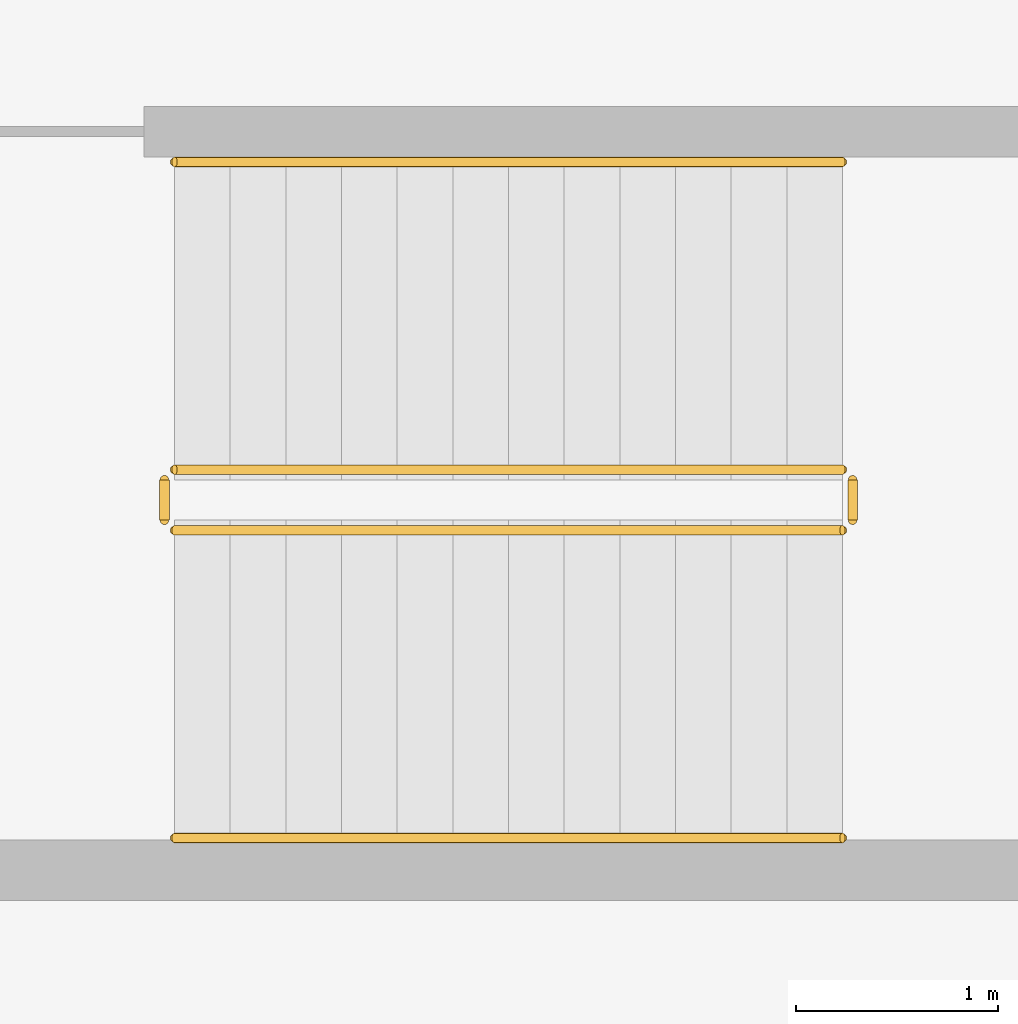
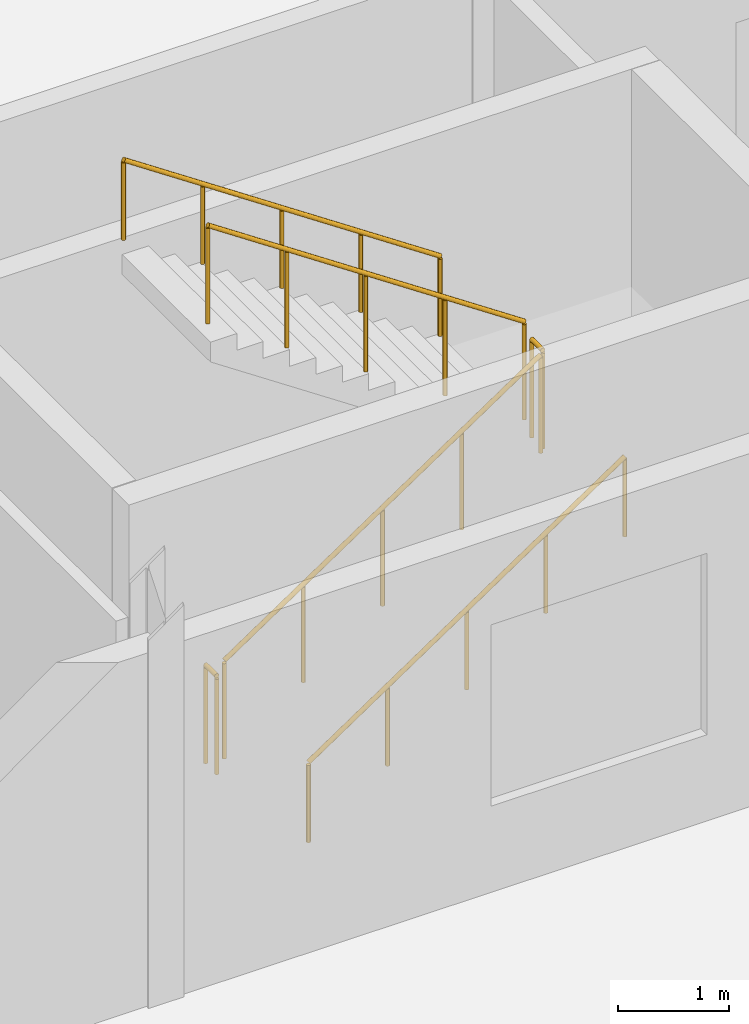
# One storey, part 116 of 117: 6 railings.
"""IFC4 building model written with IfcOpenShell, lengths in metres."""

from ifc_helpers import new_model, si_unit, direction, frame, origin, origin_2d, place, context, subcontext, project, spatial, circle, extrude, material, type_object, element, save


model = new_model("IFC4")

# Units and contexts
model_context = context("Model", 3, precision=1e-05, world=origin(), true_north=direction((0.0, 1.0)))
body_context = subcontext(model_context, "Body", "Model", "MODEL_VIEW")
ifc_project = project(units=[si_unit("LENGTHUNIT", "METRE"), si_unit("AREAUNIT", "SQUARE_METRE"), si_unit("VOLUMEUNIT", "CUBIC_METRE"), si_unit("PLANEANGLEUNIT", "RADIAN"), si_unit("MASSUNIT", "GRAM", prefix="KILO")], contexts=[model_context])

# Site, building, storey
site_placement = place(None, origin())
site = spatial("IfcSite", under=ifc_project, at=site_placement, CompositionType="ELEMENT")
building_placement = place(site_placement, origin())
building = spatial("IfcBuilding", under=site, at=building_placement, Name="Jelvoka-Kovrelna Polytechnic", CompositionType="ELEMENT")
storey_placement = place(building_placement, origin())
storey = spatial("IfcBuildingStorey", under=building, at=storey_placement, Name="L01", CompositionType="ELEMENT", Elevation=0.0)

# Railings
ifc_material_1 = material(Name="Powder-coated steel stair guard", Category="steel")
railing_type_1 = type_object("IfcRailingType", Name="Railing_Stair_Guard_1100", PredefinedType="GUARDRAIL", material=ifc_material_1)
railing_1_placement = place(storey_placement, frame((178.25, 82.669921875, 0.1845703125)))
element("IfcRailing", 1, at=railing_1_placement, inside=storey, type_object=railing_type_1, Name="L01 ST02 stair guard 1", PredefinedType="GUARDRAIL", context=body_context, shape_type="SweptSolid", body=[
    extrude(circle(Radius=0.02392578125, at=origin_2d()), frame((0.0, 0.0, 1.076171875), z_axis=(0.830269453126, 0.0, 0.557362211857), x_axis=(0.0, 1.0, 0.0)), (0.0, 0.0, 1.0), 3.974609375),
    extrude(circle(Radius=0.02099609375, at=origin_2d()), origin(), (0.0, 0.0, 1.0), 1.052001953125),
    extrude(circle(Radius=0.02099609375, at=origin_2d()), frame((0.824951171875, 0.0, 0.5537109375)), (0.0, 0.0, 1.0), 1.052001953125),
    extrude(circle(Radius=0.02099609375, at=origin_2d()), frame((1.64990234375, 0.0, 1.107666015625)), (0.0, 0.0, 1.0), 1.052001953125),
    extrude(circle(Radius=0.02099609375, at=origin_2d()), frame((2.47509765625, 0.0, 1.66162109375)), (0.0, 0.0, 1.0), 1.052001953125),
    extrude(circle(Radius=0.02099609375, at=origin_2d()), frame((3.300048828125, 0.0, 2.21533203125)), (0.0, 0.0, 1.0), 1.052001953125),
])
railing_2_placement = place(storey_placement, frame((181.60009765625, 82.719970703125, 2.39990234375)))
element("IfcRailing", 2, at=railing_2_placement, inside=storey, type_object=railing_type_1, Name="L01 ST02 stair guard 2", PredefinedType="GUARDRAIL", context=body_context, shape_type="SweptSolid", body=[
    extrude(circle(Radius=0.02392578125, at=origin_2d()), frame((0.0, 0.0, 1.076171875), z_axis=(0.0, 1.0, 0.0), x_axis=(-1.0, 0.0, 0.0)), (0.0, 0.0, 1.0), 0.199951171875),
    extrude(circle(Radius=0.02099609375, at=origin_2d()), origin(), (0.0, 0.0, 1.0), 1.052001953125),
    extrude(circle(Radius=0.02099609375, at=origin_2d()), frame((0.0, 0.199951171875, 0.0)), (0.0, 0.0, 1.0), 1.052001953125),
])
railing_3_placement = place(storey_placement, frame((181.550048828125, 82.969970703125, 2.584716796875)))
element("IfcRailing", 3, at=railing_3_placement, inside=storey, type_object=railing_type_1, Name="L01 ST02 stair guard 3", PredefinedType="GUARDRAIL", context=body_context, shape_type="SweptSolid", body=[
    extrude(circle(Radius=0.02392578125, at=origin_2d()), frame((0.0, 0.0, 1.076171875), z_axis=(-0.830269453126, 0.0, 0.557362211857), x_axis=(0.0, -1.0, 0.0)), (0.0, 0.0, 1.0), 3.974609375),
    extrude(circle(Radius=0.02099609375, at=origin_2d()), origin(), (0.0, 0.0, 1.0), 1.052001953125),
    extrude(circle(Radius=0.02099609375, at=origin_2d()), frame((-0.824951171875, 0.0, 0.5537109375)), (0.0, 0.0, 1.0), 1.052001953125),
    extrude(circle(Radius=0.02099609375, at=origin_2d()), frame((-1.64990234375, 0.0, 1.107666015625)), (0.0, 0.0, 1.0), 1.052001953125),
    extrude(circle(Radius=0.02099609375, at=origin_2d()), frame((-2.47509765625, 0.0, 1.66162109375)), (0.0, 0.0, 1.0), 1.052001953125),
    extrude(circle(Radius=0.02099609375, at=origin_2d()), frame((-3.300048828125, 0.0, 2.21533203125)), (0.0, 0.0, 1.0), 1.052001953125),
])
railing_4_placement = place(storey_placement, frame((178.199951171875, 82.719970703125, 0.0)))
element("IfcRailing", 4, at=railing_4_placement, inside=storey, type_object=railing_type_1, Name="L01 ST02 stair guard 4", PredefinedType="GUARDRAIL", context=body_context, shape_type="SweptSolid", body=[
    extrude(circle(Radius=0.02392578125, at=origin_2d()), frame((0.0, 0.0, 1.076171875), z_axis=(0.0, 1.0, 0.0), x_axis=(-1.0, 0.0, 0.0)), (0.0, 0.0, 1.0), 0.199951171875),
    extrude(circle(Radius=0.02099609375, at=origin_2d()), origin(), (0.0, 0.0, 1.0), 1.052001953125),
    extrude(circle(Radius=0.02099609375, at=origin_2d()), frame((0.0, 0.199951171875, 0.0)), (0.0, 0.0, 1.0), 1.052001953125),
])
ifc_material_2 = material(Name="Brushed stainless steel handrail", Category="steel")
railing_type_2 = type_object("IfcRailingType", Name="Railing_Stair_Handrail_900", PredefinedType="HANDRAIL", material=ifc_material_2)
railing_5_placement = place(storey_placement, frame((178.25, 81.14990234375, 0.1845703125)))
element("IfcRailing", 5, at=railing_5_placement, inside=storey, type_object=railing_type_2, Name="L01 ST02 stair handrail 1", PredefinedType="HANDRAIL", context=body_context, shape_type="SweptSolid", body=[
    extrude(circle(Radius=0.02392578125, at=origin_2d()), frame((0.0, 0.0, 0.8759765625), z_axis=(0.830269453126, 0.0, 0.557362211857), x_axis=(0.0, 1.0, 0.0)), (0.0, 0.0, 1.0), 3.974609375),
    extrude(circle(Radius=0.02099609375, at=origin_2d()), origin(), (0.0, 0.0, 1.0), 0.851806640625),
    extrude(circle(Radius=0.02099609375, at=origin_2d()), frame((0.824951171875, 0.0, 0.5537109375)), (0.0, 0.0, 1.0), 0.851806640625),
    extrude(circle(Radius=0.02099609375, at=origin_2d()), frame((1.64990234375, 0.0, 1.107666015625)), (0.0, 0.0, 1.0), 0.851806640625),
    extrude(circle(Radius=0.02099609375, at=origin_2d()), frame((2.47509765625, 0.0, 1.66162109375)), (0.0, 0.0, 1.0), 0.851806640625),
    extrude(circle(Radius=0.02099609375, at=origin_2d()), frame((3.300048828125, 0.0, 2.21533203125)), (0.0, 0.0, 1.0), 0.851806640625),
])
railing_6_placement = place(storey_placement, frame((181.550048828125, 84.489990234375, 2.584716796875)))
element("IfcRailing", 6, at=railing_6_placement, inside=storey, type_object=railing_type_2, Name="L01 ST02 stair handrail 2", PredefinedType="HANDRAIL", context=body_context, shape_type="SweptSolid", body=[
    extrude(circle(Radius=0.02392578125, at=origin_2d()), frame((0.0, 0.0, 0.8759765625), z_axis=(-0.830269453126, 0.0, 0.557362211857), x_axis=(0.0, -1.0, 0.0)), (0.0, 0.0, 1.0), 3.974609375),
    extrude(circle(Radius=0.02099609375, at=origin_2d()), origin(), (0.0, 0.0, 1.0), 0.851806640625),
    extrude(circle(Radius=0.02099609375, at=origin_2d()), frame((-0.824951171875, 0.0, 0.5537109375)), (0.0, 0.0, 1.0), 0.851806640625),
    extrude(circle(Radius=0.02099609375, at=origin_2d()), frame((-1.64990234375, 0.0, 1.107666015625)), (0.0, 0.0, 1.0), 0.851806640625),
    extrude(circle(Radius=0.02099609375, at=origin_2d()), frame((-2.47509765625, 0.0, 1.66162109375)), (0.0, 0.0, 1.0), 0.851806640625),
    extrude(circle(Radius=0.02099609375, at=origin_2d()), frame((-3.300048828125, 0.0, 2.21533203125)), (0.0, 0.0, 1.0), 0.851806640625),
])

save(model, "model.ifc")
